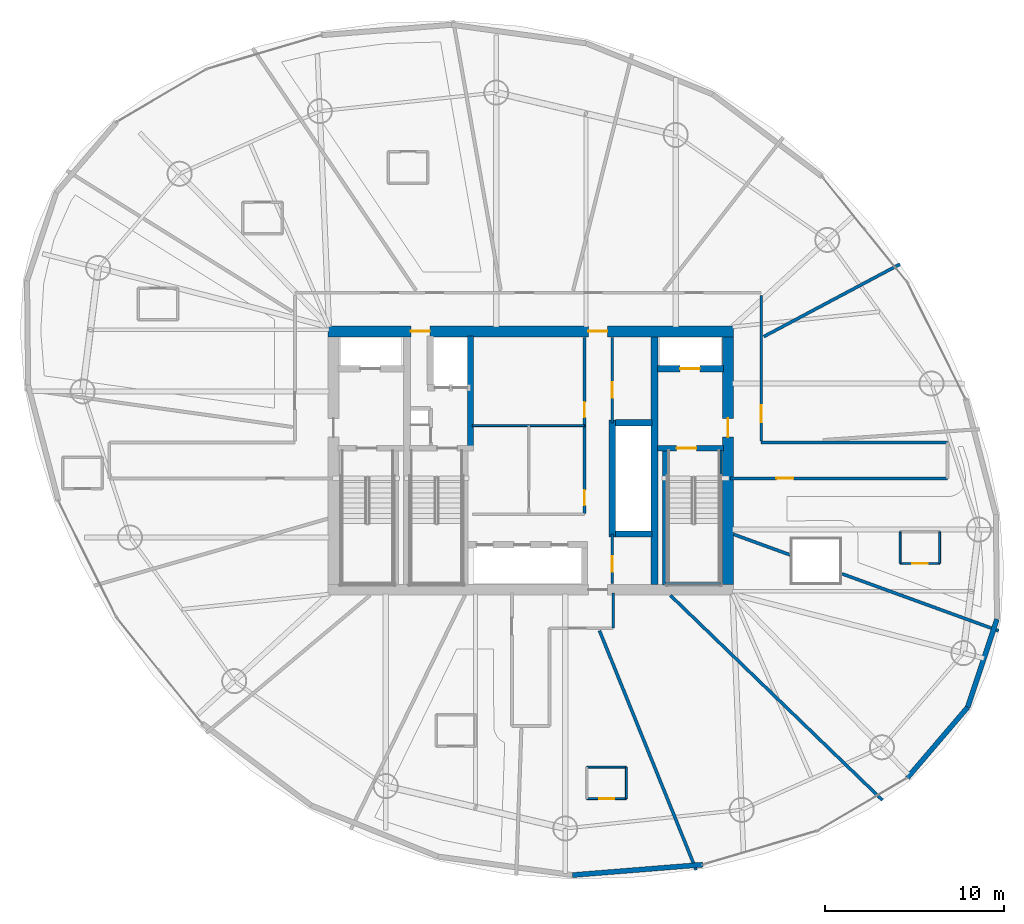
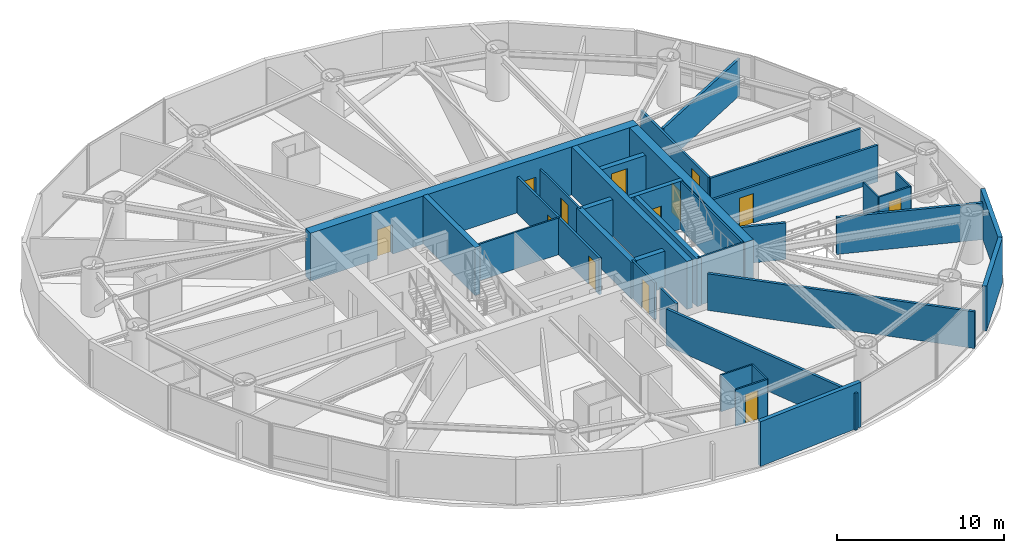
# One storey, part 19 of 24: 34 walls, 13 doors, 13 openings.
"""IFC4 building model written with IfcOpenShell, lengths in metres."""

from ifc_helpers import new_model, si_unit, direction, frame, frame_2d, origin, place, context, subcontext, project, spatial, rectangle, extrude, material, layer, layer_set, type_object, element, fill, save


model = new_model("IFC4")

# Units and contexts
model_context = context("Model", 3, precision=1e-05, world=origin(), true_north=direction((0.0, 1.0)))
body_context = subcontext(model_context, "Body", "Model", "MODEL_VIEW")
ifc_project = project(units=[si_unit("LENGTHUNIT", "METRE"), si_unit("AREAUNIT", "SQUARE_METRE"), si_unit("VOLUMEUNIT", "CUBIC_METRE"), si_unit("PLANEANGLEUNIT", "RADIAN"), si_unit("MASSUNIT", "GRAM", prefix="KILO")], contexts=[model_context])

# Site, building, storey
site_placement = place(None, origin())
site = spatial("IfcSite", under=ifc_project, at=site_placement, CompositionType="ELEMENT")
building_placement = place(site_placement, origin())
building = spatial("IfcBuilding", under=site, at=building_placement, Name="Bramvorn Convention Spire", CompositionType="ELEMENT")
storey_placement = place(building_placement, frame((0.0, 0.0, 148.300048828125)))
storey = spatial("IfcBuildingStorey", under=building, at=storey_placement, Name="L37", CompositionType="ELEMENT", Elevation=148.300048828125)

# Wall, openings, doors
ifc_material_1 = material(Name="Concrete C60/70", Category="concrete")
ifc_layer_1 = layer(ifc_material_1, 0.60009765625)
ifc_layer_set_1 = layer_set([ifc_layer_1], Name="Concrete C60/70 - WL-CORE-600")
wall_type_1 = type_object("IfcWallType", Name="WL-CORE-600", PredefinedType="SHEAR", material=ifc_layer_set_1)
wall_1_placement = place(storey_placement, frame((26.699951171875, 33.199951171875, 0.0), z_axis=(0.0, 0.0, 1.0), x_axis=(1.0, 0.0, 0.0)))
wall_1 = element("IfcWall", 1, at=wall_1_placement, inside=storey, type_object=wall_type_1, Name="L37 North RC core shear wall", PredefinedType="SHEAR", context=body_context, shape_type="SweptSolid", body=[
    extrude(rectangle(XDim=22.60009765625, YDim=0.60009765625, at=frame_2d((11.300048828125, 0.0))), origin(), (0.0, 0.0, 1.0), 3.5),
])
opening_1_placement = place(wall_1_placement, frame((4.6201171875, 0.0, 0.0)))
opening_1 = element("IfcOpeningElement", 2, at=opening_1_placement, cuts=wall_1, Name="Opening DL-105", PredefinedType="OPENING", context=body_context, shape_type="SweptSolid", body=[
    extrude(rectangle(XDim=1.050048828125, YDim=2.14990234375, at=frame_2d((0.52490234375, 1.074951171875))), frame((0.0, 0.31005859375, 0.0), z_axis=(0.0, -1.0, 0.0), x_axis=(1.0, 0.0, 0.0)), (0.0, 0.0, 1.0), 0.6201171875),
])
opening_2_placement = place(wall_1_placement, frame((14.52001953125, 0.0, 0.0)))
opening_2 = element("IfcOpeningElement", 3, at=opening_2_placement, cuts=wall_1, Name="Opening DL-105", PredefinedType="OPENING", context=body_context, shape_type="SweptSolid", body=[
    extrude(rectangle(XDim=1.050048828125, YDim=2.14990234375, at=frame_2d((0.52490234375, 1.074951171875))), frame((0.0, 0.31005859375, 0.0), z_axis=(0.0, -1.0, 0.0), x_axis=(1.0, 0.0, 0.0)), (0.0, 0.0, 1.0), 0.6201171875),
])
ifc_material_2 = material(Name="Smoke-Sealed Fire Lobby Timber-Core Door", Category="wood")
door_type_1 = type_object("IfcDoorType", Name="DR-LOBBY-1050", OperationType="NOTDEFINED", PredefinedType="DOOR", material=ifc_material_2)
door_1_placement = place(opening_1_placement, origin())
door_1 = element("IfcDoor", 4, at=door_1_placement, inside=storey, type_object=door_type_1, Name="L37 Service & Stair ST3 Lobby north corridor door", OperationType="SINGLE_SWING_LEFT", OverallHeight=2.14990234375, OverallWidth=1.050048828125, PredefinedType="DOOR", context=body_context, shape_type="SweptSolid", body=[
    extrude(rectangle(XDim=1.050048828125, YDim=2.14990234375, at=frame_2d((0.52490234375, 1.074951171875))), frame((0.0, 0.02490234375, 0.0), z_axis=(0.0, -1.0, 0.0), x_axis=(1.0, 0.0, 0.0)), (0.0, 0.0, 1.0), 0.050048828125),
])
fill(opening_1, door_1)
door_2_placement = place(opening_2_placement, origin())
door_2 = element("IfcDoor", 5, at=door_2_placement, inside=storey, type_object=door_type_1, Name="L37 North Lift Lobby fire door", OperationType="SINGLE_SWING_LEFT", OverallHeight=2.14990234375, OverallWidth=1.050048828125, PredefinedType="DOOR", context=body_context, shape_type="SweptSolid", body=[
    extrude(rectangle(XDim=1.050048828125, YDim=2.14990234375, at=frame_2d((0.52490234375, 1.074951171875))), frame((0.0, 0.02490234375, 0.0), z_axis=(0.0, -1.0, 0.0), x_axis=(1.0, 0.0, 0.0)), (0.0, 0.0, 1.0), 0.050048828125),
])
fill(opening_2, door_2)

# Wall, opening, door
wall_2_placement = place(storey_placement, frame((49.0, 19.10009765625, 0.0), z_axis=(0.0, 0.0, 1.0), x_axis=(0.0, 1.0, 0.0)))
wall_2 = element("IfcWall", 6, at=wall_2_placement, inside=storey, type_object=wall_type_1, Name="L37 East RC core shear wall", PredefinedType="SHEAR", context=body_context, shape_type="SweptSolid", body=[
    extrude(rectangle(XDim=13.7998046875, YDim=0.60009765625, at=frame_2d((6.89990234375, 0.0))), origin(), (0.0, 0.0, 1.0), 3.5),
])
opening_3_placement = place(wall_2_placement, frame((8.199951171875, 0.0, 0.0)))
opening_3 = element("IfcOpeningElement", 7, at=opening_3_placement, cuts=wall_2, Name="Opening DL-105", PredefinedType="OPENING", context=body_context, shape_type="SweptSolid", body=[
    extrude(rectangle(XDim=1.050048828125, YDim=2.14990234375, at=frame_2d((0.52490234375, 1.074951171875))), frame((0.0, 0.31005859375, 0.0), z_axis=(0.0, -1.0, 0.0), x_axis=(1.0, 0.0, 0.0)), (0.0, 0.0, 1.0), 0.6201171875),
])
door_3_placement = place(opening_3_placement, origin())
door_3 = element("IfcDoor", 8, at=door_3_placement, inside=storey, type_object=door_type_1, Name="L37 East Firefighting Lobby corridor door", OperationType="SINGLE_SWING_LEFT", OverallHeight=2.14990234375, OverallWidth=1.050048828125, PredefinedType="DOOR", context=body_context, shape_type="SweptSolid", body=[
    extrude(rectangle(XDim=1.050048828125, YDim=2.14990234375, at=frame_2d((0.52490234375, 1.074951171875))), frame((0.0, 0.02490234375, 0.0), z_axis=(0.0, -1.0, 0.0), x_axis=(1.0, 0.0, 0.0)), (0.0, 0.0, 1.0), 0.050048828125),
])
fill(opening_3, door_3)

ifc_material_3 = material(Name="Concrete C50/60", Category="concrete")
ifc_layer_2 = layer(ifc_material_3, 0.35009765625)
ifc_layer_set_2 = layer_set([ifc_layer_2], Name="Concrete C50/60 - WL-CORE-INT-350")
wall_type_2 = type_object("IfcWallType", Name="WL-CORE-INT-350", PredefinedType="SHEAR", material=ifc_layer_set_2)
wall_3_placement = place(storey_placement, frame((45.080078125, 31.1201171875, 0.0), z_axis=(0.0, 0.0, 1.0), x_axis=(1.0, 0.0, 0.0)))
wall_3 = element("IfcWall", 9, at=wall_3_placement, inside=storey, type_object=wall_type_2, Name="L37 FE2 shaft front wall", PredefinedType="SHEAR", context=body_context, shape_type="SweptSolid", body=[
    extrude(rectangle(XDim=3.669921875, YDim=0.35009765625, at=frame_2d((1.8349609375, 0.0))), origin(), (0.0, 0.0, 1.0), 2.675048828125),
])
opening_4_placement = place(wall_3_placement, frame((1.25, 0.0, 0.0)))
opening_4 = element("IfcOpeningElement", 10, at=opening_4_placement, cuts=wall_3, Name="Opening LD-110", PredefinedType="OPENING", context=body_context, shape_type="SweptSolid", body=[
    extrude(rectangle(XDim=1.10009765625, YDim=2.14990234375, at=frame_2d((0.550048828125, 1.074951171875))), frame((0.0, 0.18505859375, 0.0), z_axis=(0.0, -1.0, 0.0), x_axis=(1.0, 0.0, 0.0)), (0.0, 0.0, 1.0), 0.3701171875),
])
ifc_material_4 = material(Name="Firefighting & Service Lift Sliding Landing Door", Category="steel")
door_type_2 = type_object("IfcDoorType", Name="DR-LIFT-LD-1100", OperationType="NOTDEFINED", PredefinedType="DOOR", material=ifc_material_4)
door_4_placement = place(opening_4_placement, origin())
door_4 = element("IfcDoor", 11, at=door_4_placement, inside=storey, type_object=door_type_2, Name="L37 Lift FE2 Sliding Landing Door", OperationType="SLIDING_TO_LEFT", OverallHeight=2.14990234375, OverallWidth=1.10009765625, PredefinedType="DOOR", context=body_context, shape_type="SweptSolid", body=[
    extrude(rectangle(XDim=1.10009765625, YDim=2.14990234375, at=frame_2d((0.550048828125, 1.074951171875))), frame((0.0, 0.02490234375, 0.0), z_axis=(0.0, -1.0, 0.0), x_axis=(1.0, 0.0, 0.0)), (0.0, 0.0, 1.0), 0.050048828125),
])
fill(opening_4, door_4)

# Walls
wall_4_placement = place(storey_placement, frame((34.639892578125, 26.68994140625, 0.0), z_axis=(0.0, 0.0, 1.0), x_axis=(0.0, 1.0, 0.0)))
element("IfcWall", 12, at=wall_4_placement, inside=storey, type_object=wall_type_2, Name="L37 SV east core shaft wall", PredefinedType="SHEAR", context=body_context, shape_type="SweptSolid", body=[
    extrude(rectangle(XDim=6.260009765625, YDim=0.35009765625, at=frame_2d((3.1298828125, 0.0))), origin(), (0.0, 0.0, 1.0), 3.5),
])
wall_5_placement = place(storey_placement, frame((42.550048828125, 21.72998046875, 0.0), z_axis=(0.0, 0.0, 1.0), x_axis=(0.0, 1.0, 0.0)))
element("IfcWall", 13, at=wall_5_placement, inside=storey, type_object=wall_type_2, Name="L37 High-rise lift bank west wall", PredefinedType="SHEAR", context=body_context, shape_type="SweptSolid", body=[
    extrude(rectangle(XDim=6.5400390625, YDim=0.35009765625, at=frame_2d((3.27001953125, 0.0))), origin(), (0.0, 0.0, 1.0), 2.675048828125),
])
for number, where, z_axis, x_axis, name in (
    (14, (42.719970703125, 21.89990234375, 0.0), (0.0, 0.0, 1.0), (1.0, 0.0, 0.0), "L37 High-rise lift bank south wall"),
    (15, (42.719970703125, 28.10009765625, 0.0), (0.0, 0.0, 1.0), (1.0, 0.0, 0.0), "L37 High-rise lift bank north wall"),
):
    element("IfcWall", number, at=place(storey_placement, frame(where, z_axis=z_axis, x_axis=x_axis)), inside=storey, type_object=wall_type_2, Name=name, PredefinedType="SHEAR", context=body_context, shape_type="SweptSolid", body=[
        extrude(rectangle(XDim=2.030029296875, YDim=0.35009765625, at=frame_2d((1.01513671875, 0.0))), origin(), (0.0, 0.0, 1.0), 2.675048828125),
    ])
ifc_layer_3 = layer(ifc_material_1, 0.39990234375)
ifc_layer_set_3 = layer_set([ifc_layer_3], Name="Concrete C60/70 - WL-CORE-INT-400")
wall_type_3 = type_object("IfcWallType", Name="WL-CORE-INT-400", PredefinedType="SHEAR", material=ifc_layer_set_3)
wall_6_placement = place(storey_placement, frame((44.89990234375, 19.10009765625, 0.0), z_axis=(0.0, 0.0, 1.0), x_axis=(0.0, 1.0, 0.0)))
element("IfcWall", 16, at=wall_6_placement, inside=storey, type_object=wall_type_3, Name="L37 East internal core shear web", PredefinedType="SHEAR", context=body_context, shape_type="SweptSolid", body=[
    extrude(rectangle(XDim=13.7998046875, YDim=0.39990234375, at=frame_2d((6.89990234375, 0.0))), origin(), (0.0, 0.0, 1.0), 3.5),
])
ifc_material_5 = material(Name="Precast Concrete C40/50 with Bronze Terracotta Rainscreen", Category="masonry")
ifc_layer_4 = layer(ifc_material_5, 0.300048828125)
ifc_layer_set_4 = layer_set([ifc_layer_4], Name="Precast Concrete C40/50 with Bronze Terracotta Rainscreen - WL-EXT-BRONZE-300")
wall_type_4 = type_object("IfcWallType", Name="WL-EXT-BRONZE-300", PredefinedType="SOLIDWALL", material=ifc_layer_set_4)
wall_7_placement = place(storey_placement, frame((63.995361328125, 17.15380859375, 0.0), z_axis=(0.0, 0.0, 1.0), x_axis=(-0.315180118381, -0.949031871423, 0.0)))
element("IfcWall", 17, at=wall_7_placement, inside=storey, type_object=wall_type_4, Name="L37 expressed bronze Gothic lancet pier wall 01", PredefinedType="SOLIDWALL", context=body_context, shape_type="SweptSolid", body=[
    extrude(rectangle(XDim=5.17431640625, YDim=0.280029296875, at=frame_2d((2.587158203125, 0.0))), origin(), (0.0, 0.0, 1.0), 3.260009765625),
])
wall_8_placement = place(storey_placement, frame((47.593505859375, 3.465576171875, 0.0), z_axis=(0.0, 0.0, 1.0), x_axis=(-0.996811764287, -0.079789138232, 0.0)))
element("IfcWall", 18, at=wall_8_placement, inside=storey, type_object=wall_type_4, Name="L37 expressed bronze Gothic lancet pier wall 21", PredefinedType="SOLIDWALL", context=body_context, shape_type="SweptSolid", body=[
    extrude(rectangle(XDim=7.29150390625, YDim=0.280029296875, at=frame_2d((3.645751953125, 0.0))), origin(), (0.0, 0.0, 1.0), 3.260009765625),
])
wall_9_placement = place(storey_placement, frame((62.364501953125, 12.2431640625, 0.0), z_axis=(0.0, 0.0, 1.0), x_axis=(-0.649819403458, -0.760088641469, 0.0)))
element("IfcWall", 19, at=wall_9_placement, inside=storey, type_object=wall_type_4, Name="L37 expressed bronze Gothic lancet pier wall 24", PredefinedType="SOLIDWALL", context=body_context, shape_type="SweptSolid", body=[
    extrude(rectangle(XDim=5.17431640625, YDim=0.280029296875, at=frame_2d((2.587158203125, 0.0))), origin(), (0.0, 0.0, 1.0), 3.260009765625),
])
ifc_material_6 = material(Name="Lightweight En-Suite & Wet-Wall Partition", Category="gypsum")
ifc_layer_5 = layer(ifc_material_6, 0.110107421875)
ifc_layer_set_5 = layer_set([ifc_layer_5], Name="Lightweight En-Suite & Wet-Wall Partition - WL-PART-110")
wall_type_5 = type_object("IfcWallType", Name="WL-PART-110", PredefinedType="PARTITIONING", material=ifc_layer_set_5)
wall_10_placement = place(storey_placement, frame((34.75, 27.949951171875, 0.0), z_axis=(0.0, 0.0, 1.0), x_axis=(1.0, 0.0, 0.0)))
element("IfcWall", 20, at=wall_10_placement, inside=storey, type_object=wall_type_5, Name="L37 KA horizontal core divider", PredefinedType="PARTITIONING", context=body_context, shape_type="SweptSolid", body=[
    extrude(rectangle(XDim=6.25, YDim=0.110107421875, at=frame_2d((3.125, 0.0))), origin(), (0.0, 0.0, 1.0), 2.675048828125),
])

# Wall, opening, door
wall_11_placement = place(storey_placement, frame((41.132080078125, 7.1484375, 0.0), z_axis=(0.0, 0.0, 1.0), x_axis=(1.0, 0.0, 0.0)))
wall_11 = element("IfcWall", 21, at=wall_11_placement, inside=storey, type_object=wall_type_5, Name="Hotel Suite 3712 en-suite south wall", PredefinedType="PARTITIONING", context=body_context, shape_type="SweptSolid", body=[
    extrude(rectangle(XDim=2.2001953125, YDim=0.110107421875, at=frame_2d((1.10009765625, 0.0))), origin(), (0.0, 0.0, 1.0), 2.675048828125),
])
opening_5_placement = place(wall_11_placement, frame((0.679931640625, 0.0, 0.0)))
opening_5 = element("IfcOpeningElement", 22, at=opening_5_placement, cuts=wall_11, Name="Opening DI-085", PredefinedType="OPENING", context=body_context, shape_type="SweptSolid", body=[
    extrude(rectangle(XDim=0.85009765625, YDim=2.10009765625, at=frame_2d((0.425048828125, 1.050048828125))), frame((0.0, 0.06494140625, 0.0), z_axis=(0.0, -1.0, 0.0), x_axis=(1.0, 0.0, 0.0)), (0.0, 0.0, 1.0), 0.130126953125),
])
ifc_material_7 = material(Name="En-Suite & Restroom Privacy Door", Category="wood")
door_type_3 = type_object("IfcDoorType", Name="DR-INT-850", OperationType="NOTDEFINED", PredefinedType="DOOR", material=ifc_material_7)
door_5_placement = place(opening_5_placement, origin())
door_5 = element("IfcDoor", 23, at=door_5_placement, inside=storey, type_object=door_type_3, Name="Hotel Suite 3712 En-Suite Bathroom door", OperationType="SINGLE_SWING_LEFT", OverallHeight=2.10009765625, OverallWidth=0.85009765625, PredefinedType="DOOR", context=body_context, shape_type="SweptSolid", body=[
    extrude(rectangle(XDim=0.85009765625, YDim=2.10009765625, at=frame_2d((0.425048828125, 1.050048828125))), frame((0.0, 0.02490234375, 0.0), z_axis=(0.0, -1.0, 0.0), x_axis=(1.0, 0.0, 0.0)), (0.0, 0.0, 1.0), 0.050048828125),
])
fill(opening_5, door_5)

# Walls
wall_12_placement = place(storey_placement, frame((41.132080078125, 8.908447265625, 0.0), z_axis=(0.0, 0.0, 1.0), x_axis=(1.0, 0.0, 0.0)))
element("IfcWall", 24, at=wall_12_placement, inside=storey, type_object=wall_type_5, Name="Hotel Suite 3712 en-suite north wall", PredefinedType="PARTITIONING", context=body_context, shape_type="SweptSolid", body=[
    extrude(rectangle(XDim=2.2001953125, YDim=0.110107421875, at=frame_2d((1.10009765625, 0.0))), origin(), (0.0, 0.0, 1.0), 2.675048828125),
])
wall_13_placement = place(storey_placement, frame((43.332275390625, 7.1484375, 0.0), z_axis=(0.0, 0.0, 1.0), x_axis=(0.0, 1.0, 0.0)))
element("IfcWall", 25, at=wall_13_placement, inside=storey, type_object=wall_type_5, Name="Hotel Suite 3712 en-suite east wall", PredefinedType="PARTITIONING", context=body_context, shape_type="SweptSolid", body=[
    extrude(rectangle(XDim=1.760009765625, YDim=0.110107421875, at=frame_2d((0.8798828125, 0.0))), origin(), (0.0, 0.0, 1.0), 2.675048828125),
])

# Wall, opening, door
wall_14_placement = place(storey_placement, frame((58.593505859375, 20.2578125, 0.0), z_axis=(0.0, 0.0, 1.0), x_axis=(1.0, 0.0, 0.0)))
wall_14 = element("IfcWall", 26, at=wall_14_placement, inside=storey, type_object=wall_type_5, Name="Hotel Suite 3715 en-suite south wall", PredefinedType="PARTITIONING", context=body_context, shape_type="SweptSolid", body=[
    extrude(rectangle(XDim=2.199951171875, YDim=0.110107421875, at=frame_2d((1.10009765625, 0.0))), origin(), (0.0, 0.0, 1.0), 2.675048828125),
])
opening_6_placement = place(wall_14_placement, frame((0.679931640625, 0.0, 0.0)))
opening_6 = element("IfcOpeningElement", 27, at=opening_6_placement, cuts=wall_14, Name="Opening DI-085", PredefinedType="OPENING", context=body_context, shape_type="SweptSolid", body=[
    extrude(rectangle(XDim=0.85009765625, YDim=2.10009765625, at=frame_2d((0.425048828125, 1.050048828125))), frame((0.0, 0.06494140625, 0.0), z_axis=(0.0, -1.0, 0.0), x_axis=(1.0, 0.0, 0.0)), (0.0, 0.0, 1.0), 0.130126953125),
])
door_6_placement = place(opening_6_placement, origin())
door_6 = element("IfcDoor", 28, at=door_6_placement, inside=storey, type_object=door_type_3, Name="Hotel Suite 3715 En-Suite Bathroom door", OperationType="SINGLE_SWING_LEFT", OverallHeight=2.10009765625, OverallWidth=0.85009765625, PredefinedType="DOOR", context=body_context, shape_type="SweptSolid", body=[
    extrude(rectangle(XDim=0.85009765625, YDim=2.10009765625, at=frame_2d((0.425048828125, 1.050048828125))), frame((0.0, 0.02490234375, 0.0), z_axis=(0.0, -1.0, 0.0), x_axis=(1.0, 0.0, 0.0)), (0.0, 0.0, 1.0), 0.050048828125),
])
fill(opening_6, door_6)

# Walls
for number, where, z_axis, x_axis, name in (
    (29, (58.593505859375, 20.2578125, 0.0), (0.0, 0.0, 1.0), (0.0, 1.0, 0.0), "Hotel Suite 3715 en-suite west wall"),
    (30, (60.79345703125, 20.2578125, 0.0), (0.0, 0.0, 1.0), (0.0, 1.0, 0.0), "Hotel Suite 3715 en-suite east wall"),
):
    element("IfcWall", number, at=place(storey_placement, frame(where, z_axis=z_axis, x_axis=x_axis)), inside=storey, type_object=wall_type_5, Name=name, PredefinedType="PARTITIONING", context=body_context, shape_type="SweptSolid", body=[
        extrude(rectangle(XDim=1.759765625, YDim=0.110107421875, at=frame_2d((0.8798828125, 0.0))), origin(), (0.0, 0.0, 1.0), 2.675048828125),
    ])

# Wall, opening, door
ifc_material_8 = material(Name="Metal-Stud Demountable Office Partition", Category="gypsum")
ifc_layer_6 = layer(ifc_material_8, 0.1298828125)
ifc_layer_set_6 = layer_set([ifc_layer_6], Name="Metal-Stud Demountable Office Partition - WL-PART-130")
wall_type_6 = type_object("IfcWallType", Name="WL-PART-130", PredefinedType="PARTITIONING", material=ifc_layer_set_6)
wall_15_placement = place(storey_placement, frame((42.550048828125, 28.10009765625, 0.0), z_axis=(0.0, 0.0, 1.0), x_axis=(0.0, 1.0, 0.0)))
wall_15 = element("IfcWall", 31, at=wall_15_placement, inside=storey, type_object=wall_type_6, Name="L37 KA NE IDF wall", PredefinedType="PARTITIONING", context=body_context, shape_type="SweptSolid", body=[
    extrude(rectangle(XDim=4.75, YDim=0.1298828125, at=frame_2d((2.375, 0.0))), origin(), (0.0, 0.0, 1.0), 2.675048828125),
])
opening_7_placement = place(wall_15_placement, frame((1.39990234375, 0.0, 0.0)))
opening_7 = element("IfcOpeningElement", 32, at=opening_7_placement, cuts=wall_15, Name="Opening DC-085", PredefinedType="OPENING", context=body_context, shape_type="SweptSolid", body=[
    extrude(rectangle(XDim=0.85009765625, YDim=2.10009765625, at=frame_2d((0.425048828125, 1.050048828125))), frame((0.0, 0.074951171875, 0.0), z_axis=(0.0, -1.0, 0.0), x_axis=(1.0, 0.0, 0.0)), (0.0, 0.0, 1.0), 0.14990234375),
])
ifc_material_9 = material(Name="Fire-Rated Core Washroom & IDF Door", Category="wood")
door_type_4 = type_object("IfcDoorType", Name="DR-CORE-850", OperationType="NOTDEFINED", PredefinedType="DOOR", material=ifc_material_9)
door_7_placement = place(opening_7_placement, origin())
door_7 = element("IfcDoor", 33, at=door_7_placement, inside=storey, type_object=door_type_4, Name="L37 Core IDF & BMS Room door", OperationType="SINGLE_SWING_LEFT", OverallHeight=2.10009765625, OverallWidth=0.85009765625, PredefinedType="DOOR", context=body_context, shape_type="SweptSolid", body=[
    extrude(rectangle(XDim=0.85009765625, YDim=2.10009765625, at=frame_2d((0.425048828125, 1.050048828125))), frame((0.0, 0.02490234375, 0.0), z_axis=(0.0, -1.0, 0.0), x_axis=(1.0, 0.0, 0.0)), (0.0, 0.0, 1.0), 0.050048828125),
])
fill(opening_7, door_7)

wall_16_placement = place(storey_placement, frame((42.550048828125, 19.14990234375, 0.0), z_axis=(0.0, 0.0, 1.0), x_axis=(0.0, 1.0, 0.0)))
wall_16 = element("IfcWall", 34, at=wall_16_placement, inside=storey, type_object=wall_type_6, Name="L37 KA SE store wall", PredefinedType="PARTITIONING", context=body_context, shape_type="SweptSolid", body=[
    extrude(rectangle(XDim=2.75, YDim=0.1298828125, at=frame_2d((1.375, 0.0))), origin(), (0.0, 0.0, 1.0), 2.675048828125),
])
opening_8_placement = place(wall_16_placement, frame((0.64990234375, 0.0, 0.0)))
opening_8 = element("IfcOpeningElement", 35, at=opening_8_placement, cuts=wall_16, Name="Opening DC-085", PredefinedType="OPENING", context=body_context, shape_type="SweptSolid", body=[
    extrude(rectangle(XDim=0.85009765625, YDim=2.10009765625, at=frame_2d((0.425048828125, 1.050048828125))), frame((0.0, 0.074951171875, 0.0), z_axis=(0.0, -1.0, 0.0), x_axis=(1.0, 0.0, 0.0)), (0.0, 0.0, 1.0), 0.14990234375),
])
door_8_placement = place(opening_8_placement, origin())
door_8 = element("IfcDoor", 36, at=door_8_placement, inside=storey, type_object=door_type_4, Name="L37 Floor Housekeeping & Linen Store door", OperationType="SINGLE_SWING_LEFT", OverallHeight=2.10009765625, OverallWidth=0.85009765625, PredefinedType="DOOR", context=body_context, shape_type="SweptSolid", body=[
    extrude(rectangle(XDim=0.85009765625, YDim=2.10009765625, at=frame_2d((0.425048828125, 1.050048828125))), frame((0.0, 0.02490234375, 0.0), z_axis=(0.0, -1.0, 0.0), x_axis=(1.0, 0.0, 0.0)), (0.0, 0.0, 1.0), 0.050048828125),
])
fill(opening_8, door_8)

# Wall, openings, doors
ifc_material_10 = material(Name="Acoustic Metal-Stud Tenant/Corridor Partition", Category="gypsum")
ifc_layer_7 = layer(ifc_material_10, 0.14990234375)
ifc_layer_set_7 = layer_set([ifc_layer_7], Name="Acoustic Metal-Stud Tenant/Corridor Partition - WL-PART-150")
wall_type_7 = type_object("IfcWallType", Name="WL-PART-150", PredefinedType="PARTITIONING", material=ifc_layer_set_7)
wall_17_placement = place(storey_placement, frame((41.0, 23.050048828125, 0.0), z_axis=(0.0, 0.0, 1.0), x_axis=(0.0, 1.0, 0.0)))
wall_17 = element("IfcWall", 37, at=wall_17_placement, inside=storey, type_object=wall_type_7, Name="L37 KA east core wall", PredefinedType="PARTITIONING", context=body_context, shape_type="SweptSolid", body=[
    extrude(rectangle(XDim=9.800048828125, YDim=0.14990234375, at=frame_2d((4.89990234375, 0.0))), origin(), (0.0, 0.0, 1.0), 2.675048828125),
])
opening_9_placement = place(wall_17_placement, frame((5.35009765625, 0.0, 0.0)))
opening_9 = element("IfcOpeningElement", 38, at=opening_9_placement, cuts=wall_17, Name="Opening DC-085", PredefinedType="OPENING", context=body_context, shape_type="SweptSolid", body=[
    extrude(rectangle(XDim=0.85009765625, YDim=2.10009765625, at=frame_2d((0.425048828125, 1.050048828125))), frame((0.0, 0.0849609375, 0.0), z_axis=(0.0, -1.0, 0.0), x_axis=(1.0, 0.0, 0.0)), (0.0, 0.0, 1.0), 0.169921875),
])
opening_10_placement = place(wall_17_placement, frame((0.449951171875, 0.0, 0.0)))
opening_10 = element("IfcOpeningElement", 39, at=opening_10_placement, cuts=wall_17, Name="Opening DC-085", PredefinedType="OPENING", context=body_context, shape_type="SweptSolid", body=[
    extrude(rectangle(XDim=0.85009765625, YDim=2.10009765625, at=frame_2d((0.425048828125, 1.050048828125))), frame((0.0, 0.0849609375, 0.0), z_axis=(0.0, -1.0, 0.0), x_axis=(1.0, 0.0, 0.0)), (0.0, 0.0, 1.0), 0.169921875),
])
door_9_placement = place(opening_9_placement, origin())
door_9 = element("IfcDoor", 40, at=door_9_placement, inside=storey, type_object=door_type_4, Name="L37 Core Linen & Equipment Store door", OperationType="SINGLE_SWING_LEFT", OverallHeight=2.10009765625, OverallWidth=0.85009765625, PredefinedType="DOOR", context=body_context, shape_type="SweptSolid", body=[
    extrude(rectangle(XDim=0.85009765625, YDim=2.10009765625, at=frame_2d((0.425048828125, 1.050048828125))), frame((0.0, 0.02490234375, 0.0), z_axis=(0.0, -1.0, 0.0), x_axis=(1.0, 0.0, 0.0)), (0.0, 0.0, 1.0), 0.050048828125),
])
fill(opening_9, door_9)
door_10_placement = place(opening_10_placement, origin())
door_10 = element("IfcDoor", 41, at=door_10_placement, inside=storey, type_object=door_type_4, Name="L37 Accessible Core Restroom door", OperationType="SINGLE_SWING_LEFT", OverallHeight=2.10009765625, OverallWidth=0.85009765625, PredefinedType="DOOR", context=body_context, shape_type="SweptSolid", body=[
    extrude(rectangle(XDim=0.85009765625, YDim=2.10009765625, at=frame_2d((0.425048828125, 1.050048828125))), frame((0.0, 0.02490234375, 0.0), z_axis=(0.0, -1.0, 0.0), x_axis=(1.0, 0.0, 0.0)), (0.0, 0.0, 1.0), 0.050048828125),
])
fill(opening_10, door_10)

# Wall, opening, door
wall_18_placement = place(storey_placement, frame((50.85009765625, 27.080078125, 0.0), z_axis=(0.0, 0.0, 1.0), x_axis=(0.0, 1.0, 0.0)))
wall_18 = element("IfcWall", 42, at=wall_18_placement, inside=storey, type_object=wall_type_7, Name="L37 NE gallery cheek", PredefinedType="PARTITIONING", context=body_context, shape_type="SweptSolid", body=[
    extrude(rectangle(XDim=8.119873046875, YDim=0.14990234375, at=frame_2d((4.06005859375, 0.0))), origin(), (0.0, 0.0, 1.0), 2.675048828125),
])
opening_11_placement = place(wall_18_placement, frame((1.0537109375, 0.0, 0.0)))
opening_11 = element("IfcOpeningElement", 43, at=opening_11_placement, cuts=wall_18, Name="Opening DH-095", PredefinedType="OPENING", context=body_context, shape_type="SweptSolid", body=[
    extrude(rectangle(XDim=0.949951171875, YDim=2.14990234375, at=frame_2d((0.47509765625, 1.074951171875))), frame((0.0, 0.0849609375, 0.0), z_axis=(0.0, -1.0, 0.0), x_axis=(1.0, 0.0, 0.0)), (0.0, 0.0, 1.0), 0.169921875),
])
ifc_material_11 = material(Name="Solid-Core Acoustic Guestroom Entry Door", Category="wood")
door_type_5 = type_object("IfcDoorType", Name="DR-HOTEL-950", OperationType="NOTDEFINED", PredefinedType="DOOR", material=ifc_material_11)
door_11_placement = place(opening_11_placement, origin())
door_11 = element("IfcDoor", 44, at=door_11_placement, inside=storey, type_object=door_type_5, Name="L37 Hospitality Lounge 1 door", OperationType="SINGLE_SWING_LEFT", OverallHeight=2.14990234375, OverallWidth=0.949951171875, PredefinedType="DOOR", context=body_context, shape_type="SweptSolid", body=[
    extrude(rectangle(XDim=0.949951171875, YDim=2.14990234375, at=frame_2d((0.47509765625, 1.074951171875))), frame((0.0, 0.02490234375, 0.0), z_axis=(0.0, -1.0, 0.0), x_axis=(1.0, 0.0, 0.0)), (0.0, 0.0, 1.0), 0.050048828125),
])
fill(opening_11, door_11)

# Wall
wall_19_placement = place(storey_placement, frame((50.85009765625, 27.0, 0.0), z_axis=(0.0, 0.0, 1.0), x_axis=(1.0, 0.0, 0.0)))
element("IfcWall", 45, at=wall_19_placement, inside=storey, type_object=wall_type_7, Name="L37 East wing spine north wall", PredefinedType="PARTITIONING", context=body_context, shape_type="SweptSolid", body=[
    extrude(rectangle(XDim=10.390625, YDim=0.14990234375, at=frame_2d((5.1953125, 0.0))), origin(), (0.0, 0.0, 1.0), 2.675048828125),
])

# Wall, opening, door
wall_20_placement = place(storey_placement, frame((49.14990234375, 25.0, 0.0), z_axis=(0.0, 0.0, 1.0), x_axis=(1.0, 0.0, 0.0)))
wall_20 = element("IfcWall", 46, at=wall_20_placement, inside=storey, type_object=wall_type_7, Name="L37 East wing spine south wall", PredefinedType="PARTITIONING", context=body_context, shape_type="SweptSolid", body=[
    extrude(rectangle(XDim=12.0908203125, YDim=0.14990234375, at=frame_2d((6.04541015625, 0.0))), origin(), (0.0, 0.0, 1.0), 2.675048828125),
])
opening_12_placement = place(wall_20_placement, frame((2.547607421875, 0.0, 0.0)))
opening_12 = element("IfcOpeningElement", 47, at=opening_12_placement, cuts=wall_20, Name="Opening DH-095", PredefinedType="OPENING", context=body_context, shape_type="SweptSolid", body=[
    extrude(rectangle(XDim=0.949951171875, YDim=2.14990234375, at=frame_2d((0.47509765625, 1.074951171875))), frame((0.0, 0.0849609375, 0.0), z_axis=(0.0, -1.0, 0.0), x_axis=(1.0, 0.0, 0.0)), (0.0, 0.0, 1.0), 0.169921875),
])
door_12_placement = place(opening_12_placement, origin())
door_12 = element("IfcDoor", 48, at=door_12_placement, inside=storey, type_object=door_type_5, Name="Hotel Suite 3715 entry door", OperationType="SINGLE_SWING_LEFT", OverallHeight=2.14990234375, OverallWidth=0.949951171875, PredefinedType="DOOR", context=body_context, shape_type="SweptSolid", body=[
    extrude(rectangle(XDim=0.949951171875, YDim=2.14990234375, at=frame_2d((0.47509765625, 1.074951171875))), frame((0.0, 0.02490234375, 0.0), z_axis=(0.0, -1.0, 0.0), x_axis=(1.0, 0.0, 0.0)), (0.0, 0.0, 1.0), 0.050048828125),
])
fill(opening_12, door_12)

# Walls
wall_21_placement = place(storey_placement, frame((42.60009765625, 16.64990234375, 0.0), z_axis=(0.0, 0.0, 1.0), x_axis=(0.0, 1.0, 0.0)))
element("IfcWall", 49, at=wall_21_placement, inside=storey, type_object=wall_type_7, Name="L37 South lift lobby east cheek", PredefinedType="PARTITIONING", context=body_context, shape_type="SweptSolid", body=[
    extrude(rectangle(XDim=1.9501953125, YDim=0.14990234375, at=frame_2d((0.97509765625, 0.0))), origin(), (0.0, 0.0, 1.0), 2.675048828125),
])
ifc_material_12 = material(Name="Double-Stud Acoustic Hotel/Suite Partition", Category="gypsum")
ifc_layer_8 = layer(ifc_material_12, 0.175048828125)
ifc_layer_set_8 = layer_set([ifc_layer_8], Name="Double-Stud Acoustic Hotel/Suite Partition - WL-PART-175")
wall_type_8 = type_object("IfcWallType", Name="WL-PART-175", PredefinedType="PARTITIONING", material=ifc_layer_set_8)
wall_22_placement = place(storey_placement, frame((50.989990234375, 32.906982421875, 0.0), z_axis=(0.0, 0.0, 1.0), x_axis=(0.882956390808, 0.469455015877, 0.0)))
element("IfcWall", 50, at=wall_22_placement, inside=storey, type_object=wall_type_8, Name="L37 Guestroom demising wall 2", PredefinedType="PARTITIONING", context=body_context, shape_type="SweptSolid", body=[
    extrude(rectangle(XDim=8.613037109375, YDim=0.175048828125, at=frame_2d((4.306640625, 0.0))), origin(), (0.0, 0.0, 1.0), 2.675048828125),
])
wall_23_placement = place(storey_placement, frame((41.834228515625, 16.510009765625, 0.0), z_axis=(0.0, 0.0, 1.0), x_axis=(0.374608614268, -0.927183038087, 0.0)))
element("IfcWall", 51, at=wall_23_placement, inside=storey, type_object=wall_type_8, Name="L37 Guestroom demising wall 13", PredefinedType="PARTITIONING", context=body_context, shape_type="SweptSolid", body=[
    extrude(rectangle(XDim=14.39208984375, YDim=0.175048828125, at=frame_2d((7.196044921875, 0.0))), origin(), (0.0, 0.0, 1.0), 2.675048828125),
])
wall_24_placement = place(storey_placement, frame((45.787109375, 18.47998046875, 0.0), z_axis=(0.0, 0.0, 1.0), x_axis=(0.719347752113, -0.694650136062, 0.0)))
element("IfcWall", 52, at=wall_24_placement, inside=storey, type_object=wall_type_8, Name="L37 Guestroom demising wall 14", PredefinedType="PARTITIONING", context=body_context, shape_type="SweptSolid", body=[
    extrude(rectangle(XDim=16.448974609375, YDim=0.175048828125, at=frame_2d((8.224609375, 0.0))), origin(), (0.0, 0.0, 1.0), 2.675048828125),
])
wall_25_placement = place(storey_placement, frame((49.320068359375, 21.8798828125, 0.0), z_axis=(0.0, 0.0, 1.0), x_axis=(0.939671379792, -0.34207849684, 0.0)))
element("IfcWall", 53, at=wall_25_placement, inside=storey, type_object=wall_type_8, Name="L37 Guestroom demising wall 15", PredefinedType="PARTITIONING", context=body_context, shape_type="SweptSolid", body=[
    extrude(rectangle(XDim=3.330810546875, YDim=0.175048828125, at=frame_2d((1.66552734375, 0.0))), origin(), (0.0, 0.0, 1.0), 2.675048828125),
])
wall_26_placement = place(storey_placement, frame((55.35009765625, 19.68505859375, 0.0), z_axis=(0.0, 0.0, 1.0), x_axis=(0.939690778586, -0.342025204686, 0.0)))
element("IfcWall", 54, at=wall_26_placement, inside=storey, type_object=wall_type_8, Name="L37 Guestroom demising wall 15", PredefinedType="PARTITIONING", context=body_context, shape_type="SweptSolid", body=[
    extrude(rectangle(XDim=9.3095703125, YDim=0.175048828125, at=frame_2d((4.65478515625, 0.0))), origin(), (0.0, 0.0, 1.0), 2.675048828125),
])

# Wall, opening, door
ifc_layer_9 = layer(ifc_material_3, 0.300048828125)
ifc_layer_set_9 = layer_set([ifc_layer_9], Name="Concrete C50/60 - WL-POD-STAIR-300")
wall_type_9 = type_object("IfcWallType", Name="WL-POD-STAIR-300", PredefinedType="SHEAR", material=ifc_layer_set_9)
wall_27_placement = place(storey_placement, frame((45.080078125, 26.68994140625, 0.0), z_axis=(0.0, 0.0, 1.0), x_axis=(1.0, 0.0, 0.0)))
wall_27 = element("IfcWall", 55, at=wall_27_placement, inside=storey, type_object=wall_type_9, Name="L37 ST2 north fire wall", PredefinedType="SHEAR", context=body_context, shape_type="SweptSolid", body=[
    extrude(rectangle(XDim=3.669921875, YDim=0.300048828125, at=frame_2d((1.8349609375, 0.0))), origin(), (0.0, 0.0, 1.0), 3.5),
])
opening_13_placement = place(wall_27_placement, frame((1.050048828125, 0.0, 0.0)))
opening_13 = element("IfcOpeningElement", 56, at=opening_13_placement, cuts=wall_27, Name="Opening DS-110", PredefinedType="OPENING", context=body_context, shape_type="SweptSolid", body=[
    extrude(rectangle(XDim=1.10009765625, YDim=2.14990234375, at=frame_2d((0.550048828125, 1.074951171875))), frame((0.0, 0.159912109375, 0.0), z_axis=(0.0, -1.0, 0.0), x_axis=(1.0, 0.0, 0.0)), (0.0, 0.0, 1.0), 0.320068359375),
])
ifc_material_13 = material(Name="Fire-Rated Hollow Steel Stairwell Door", Category="steel")
door_type_6 = type_object("IfcDoorType", Name="DR-STAIR-1100", OperationType="NOTDEFINED", PredefinedType="DOOR", material=ifc_material_13)
door_13_placement = place(opening_13_placement, origin())
door_13 = element("IfcDoor", 57, at=door_13_placement, inside=storey, type_object=door_type_6, Name="L37 Stair ST2 fire door", OperationType="SINGLE_SWING_RIGHT", OverallHeight=2.14990234375, OverallWidth=1.10009765625, PredefinedType="DOOR", context=body_context, shape_type="SweptSolid", body=[
    extrude(rectangle(XDim=1.10009765625, YDim=2.14990234375, at=frame_2d((0.550048828125, 1.074951171875))), frame((0.0, 0.02490234375, 0.0), z_axis=(0.0, -1.0, 0.0), x_axis=(1.0, 0.0, 0.0)), (0.0, 0.0, 1.0), 0.050048828125),
])
fill(opening_13, door_13)

# Walls
wall_28_placement = place(storey_placement, frame((45.510009765625, 19.050048828125, 0.0), z_axis=(0.0, 0.0, 1.0), x_axis=(0.0, 1.0, 0.0)))
element("IfcWall", 58, at=wall_28_placement, inside=storey, type_object=wall_type_9, Name="L37 ST2 west bearing wall", PredefinedType="SHEAR", context=body_context, shape_type="SweptSolid", body=[
    extrude(rectangle(XDim=7.5, YDim=0.300048828125, at=frame_2d((3.75, 0.0))), origin(), (0.0, 0.0, 1.0), 3.5),
])
ifc_layer_10 = layer(ifc_material_3, 0.1201171875)
ifc_layer_set_10 = layer_set([ifc_layer_10], Name="Concrete C50/60 - WL-STAIR-RC-120")
wall_type_10 = type_object("IfcWallType", Name="WL-STAIR-RC-120", PredefinedType="SHEAR", material=ifc_layer_set_10)
wall_29_placement = place(storey_placement, frame((48.60498046875, 19.10009765625, 0.0), z_axis=(0.0, 0.0, 1.0), x_axis=(0.0, 1.0, 0.0)))
element("IfcWall", 59, at=wall_29_placement, inside=storey, type_object=wall_type_10, Name="L37 ST2 east bearing shear wall", PredefinedType="SHEAR", context=body_context, shape_type="SweptSolid", body=[
    extrude(rectangle(XDim=7.449951171875, YDim=0.1201171875, at=frame_2d((3.72509765625, 0.0))), origin(), (0.0, 0.0, 1.0), 3.5),
])
wall_30_placement = place(storey_placement, frame((45.510009765625, 19.159912109375, 0.0), z_axis=(0.0, 0.0, 1.0), x_axis=(1.0, 0.0, 0.0)))
element("IfcWall", 60, at=wall_30_placement, inside=storey, type_object=wall_type_10, Name="L37 ST2 south bearing shear wall", PredefinedType="SHEAR", context=body_context, shape_type="SweptSolid", body=[
    extrude(rectangle(XDim=3.094970703125, YDim=0.1201171875, at=frame_2d((1.54736328125, 0.0))), origin(), (0.0, 0.0, 1.0), 3.5),
])

save(model, "model.ifc")
